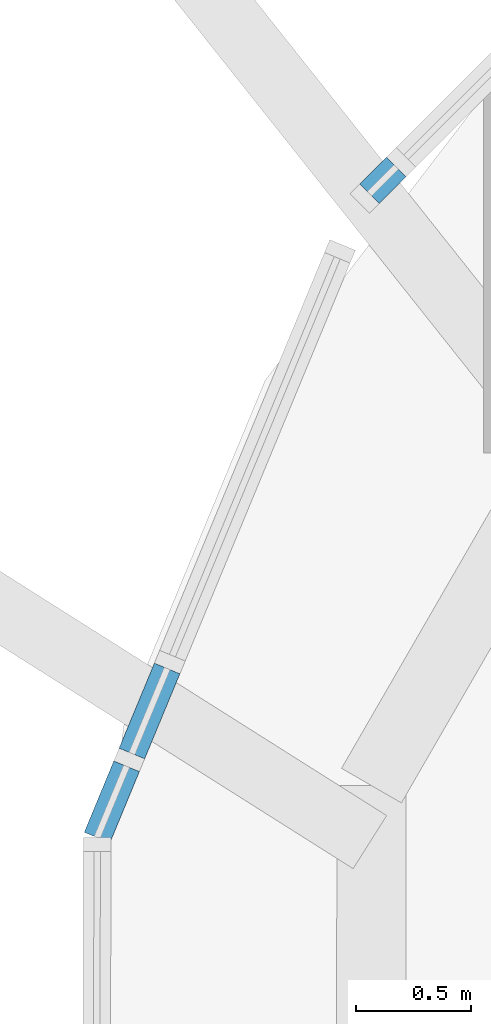
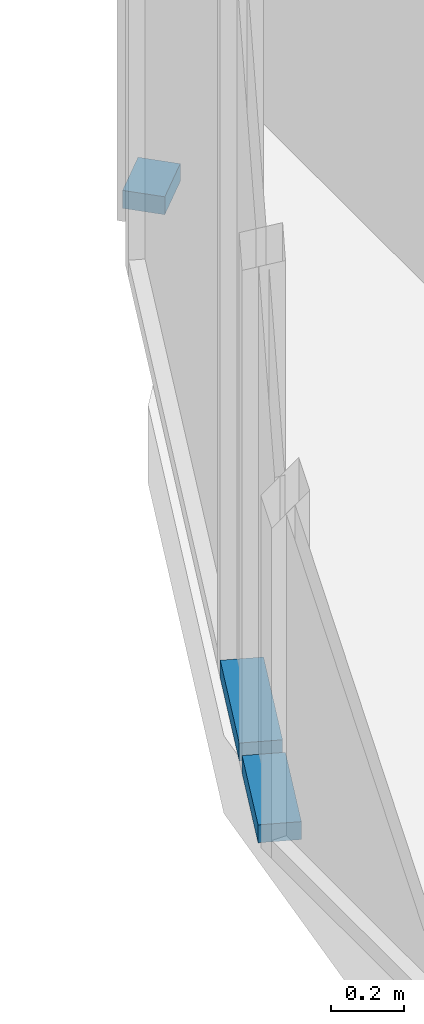
# One storey, part 17 of 36: 3 members, 3 elements without a shape of their own.
"""IFC4 building model written with IfcOpenShell, lengths in metres."""

import ifcopenshell
import ifcopenshell.guid

model = None  # the IFC model being written
_history = None  # IfcOwnerHistory: only IFC2X3 demands one
_inside = {}  # id of a spatial element -> (the spatial element, [elements in it])
_under = {}  # id of a project, library or spatial element -> (it, [spatial elements below it])
_declared = {}  # id of a project -> (the project, [libraries it declares])
_typed = {}  # id of a type object -> (the type object, [elements of that type])
_made_of = {}  # id of a material, layer set ... -> (it, [elements and type objects made of it])


def new_model(schema):
    """Start an empty IFC model of exactly this schema.

    Asked for "IFC4X3", IfcOpenShell would pick the latest addendum, in which some entities
    have other attributes; the version numbers below select the first issue.
    IFC2X3 requires an IfcOwnerHistory on every rooted entity: one is made here for all.
    """
    global model, _history
    if schema == "IFC4X3":
        model = ifcopenshell.file(schema_version=(4, 3, 0, 0))
    else:
        model = ifcopenshell.file(schema=schema)
    _inside.clear()
    _under.clear()
    _declared.clear()
    _typed.clear()
    _made_of.clear()
    _history = None
    if model.schema == "IFC2X3":
        org = make("IfcOrganization", Name="unknown")
        user = make(
            "IfcPersonAndOrganization",
            ThePerson=make("IfcPerson", FamilyName="unknown"),
            TheOrganization=org,
        )
        app = make(
            "IfcApplication",
            ApplicationDeveloper=org,
            Version="unknown",
            ApplicationFullName="unknown",
            ApplicationIdentifier="unknown",
        )
        _history = make(
            "IfcOwnerHistory",
            OwningUser=user,
            OwningApplication=app,
            ChangeAction="ADDED",
            CreationDate=0,
        )
    return model


def make(cls, **values):
    """One entity of the class cls with the attributes given. An attribute that is None is left unset."""
    return model.create_entity(
        cls, **{name: value for name, value in values.items() if value is not None}
    )


def rooted(cls, **values):
    """An entity with a GlobalId (a new one), such as an element, a storey or a relation."""
    return make(cls, GlobalId=ifcopenshell.guid.new(), OwnerHistory=_history, **values)


def si_unit(unit_type, name, prefix=None):
    """IfcSIUnit, for example si_unit("LENGTHUNIT", "METRE", prefix="MILLI")."""
    return make("IfcSIUnit", UnitType=unit_type, Prefix=prefix, Name=name)


def assignment(units):
    """IfcUnitAssignment: the units of a project."""
    return None if units is None else make("IfcUnitAssignment", Units=units)


def point(xyz):
    """IfcCartesianPoint."""
    return None if xyz is None else make("IfcCartesianPoint", Coordinates=xyz)


def direction(xyz):
    """IfcDirection."""
    return None if xyz is None else make("IfcDirection", DirectionRatios=xyz)


def frame(location, z_axis=None, x_axis=None):
    """IfcAxis2Placement3D, a coordinate frame: its origin and axes. An axis left out is left unset."""
    return make(
        "IfcAxis2Placement3D",
        Location=point(location),
        Axis=direction(z_axis),
        RefDirection=direction(x_axis),
    )


def frame_2d(location, x_axis=None):
    """IfcAxis2Placement2D, a coordinate frame in the plane: its origin and x axis."""
    return make(
        "IfcAxis2Placement2D", Location=point(location), RefDirection=direction(x_axis)
    )


def origin():
    """The frame at (0, 0, 0) with its axes left unset."""
    return frame((0.0, 0.0, 0.0))


def origin_2d():
    """The frame at (0, 0) in the plane with its x axis left unset."""
    return frame_2d((0.0, 0.0))


def place(relative_to, where):
    """IfcLocalPlacement: puts the frame where relative to a parent placement (None: the world)."""
    return make(
        "IfcLocalPlacement", PlacementRelTo=relative_to, RelativePlacement=where
    )


def context(
    kind, dimensions, precision=None, world=None, true_north=None, identifier=None
):
    """IfcGeometricRepresentationContext, for example the 3D "Model" context."""
    return make(
        "IfcGeometricRepresentationContext",
        ContextIdentifier=identifier,
        ContextType=kind,
        CoordinateSpaceDimension=dimensions,
        Precision=precision,
        WorldCoordinateSystem=world,
        TrueNorth=true_north,
    )


def subcontext(parent, identifier, kind, view, scale=None):
    """IfcGeometricRepresentationSubContext, for example "Body" below "Model"."""
    return make(
        "IfcGeometricRepresentationSubContext",
        ContextIdentifier=identifier,
        ContextType=kind,
        ParentContext=parent,
        TargetScale=scale,
        TargetView=view,
    )


def project(units=None, contexts=None):
    """IfcProject with its units and contexts."""
    return rooted(
        "IfcProject",
        Name="project",
        RepresentationContexts=contexts,
        UnitsInContext=assignment(units),
    )


def spatial(cls, under=None, at=None, **own):
    """A site, building, storey or space (cls), placed at a placement, below another one or the project."""
    s = rooted(cls, ObjectPlacement=at, **own)
    if under is not None:
        _under.setdefault(under.id(), (under, []))[1].append(s)
    return s


def profile(cls, at=None, kind="AREA", **sizes):
    """A parametric profile (cls). Its sizes go by their IFC names, for example OverallWidth=200.0."""
    return make(cls, ProfileType=kind, Position=at, **sizes)


def rectangle(**sizes):
    """IfcRectangleProfileDef."""
    return profile("IfcRectangleProfileDef", **sizes)


def extrude(swept, where, along, depth):
    """IfcExtrudedAreaSolid: the profile swept, set in the frame where, extruded along a direction by depth."""
    return make(
        "IfcExtrudedAreaSolid",
        SweptArea=swept,
        Position=where,
        ExtrudedDirection=direction(along),
        Depth=depth,
    )


def shape(context_of_items, identifier, shape_type, items):
    """IfcShapeRepresentation: the items that make up one representation, for example the "Body"."""
    return make(
        "IfcShapeRepresentation",
        ContextOfItems=context_of_items,
        RepresentationIdentifier=identifier,
        RepresentationType=shape_type,
        Items=items,
    )


def material(Name=None, Category=None):
    """IfcMaterial."""
    return make("IfcMaterial", Name=Name, Category=Category)


def layer(
    of_material, thickness, ventilated=None, Name=None, Category=None, Priority=None
):
    """IfcMaterialLayer: one layer of a wall or slab, of a material (None: an air gap)."""
    return make(
        "IfcMaterialLayer",
        Material=of_material,
        LayerThickness=thickness,
        IsVentilated=ventilated,
        Name=Name,
        Category=Category,
        Priority=Priority,
    )


def layer_set(layers, Name=None):
    """IfcMaterialLayerSet."""
    return make("IfcMaterialLayerSet", MaterialLayers=layers, LayerSetName=Name)


def material_profile(
    of_material, cross_section, Name=None, Category=None, Priority=None
):
    """IfcMaterialProfile: a cross section and its material."""
    return make(
        "IfcMaterialProfile",
        Name=Name,
        Material=of_material,
        Profile=cross_section,
        Priority=Priority,
        Category=Category,
    )


def profile_set(profiles, Name=None, composite=None):
    """IfcMaterialProfileSet."""
    return make(
        "IfcMaterialProfileSet",
        Name=Name,
        MaterialProfiles=profiles,
        CompositeProfile=composite,
    )


def made_of(thing, what):
    """Note that an element or type object is made of a material, layer set ...; save() writes the relation."""
    if what is not None:
        _made_of.setdefault(what.id(), (what, []))[1].append(thing)
    return thing


def type_object(cls, material=None, **own):
    """A type object (cls), such as IfcWallType, which elements share."""
    return made_of(rooted(cls, **own), material)


def element(
    cls,
    number,
    at=None,
    inside=None,
    cuts=None,
    type_object=None,
    material=None,
    context=None,
    identifier="Body",
    shape_type=None,
    held_by="IfcProductDefinitionShape",
    body=None,
    shapes=None,
    **own,
):
    """One element of the class cls, such as IfcWall. Its Tag is "e" and its number.

    at: its placement. inside: the storey or other place that contains it. cuts: it is an
    opening in that element (IfcRelVoidsElement). A single representation is given by context,
    identifier, shape_type and body (its items); several are given by shapes. held_by: the class
    of the entity that holds the representations. save() writes the other relations.
    """
    e = rooted(cls, Tag="e%d" % number, ObjectPlacement=at, **own)
    if body is not None:
        shapes = [shape(context, identifier, shape_type, body)]
    if shapes is not None:
        e.Representation = make(held_by, Representations=shapes)
    if inside is not None:
        _inside.setdefault(inside.id(), (inside, []))[1].append(e)
    if cuts is not None:
        rooted(
            "IfcRelVoidsElement", RelatingBuildingElement=cuts, RelatedOpeningElement=e
        )
    if type_object is not None:
        _typed.setdefault(type_object.id(), (type_object, []))[1].append(e)
    return made_of(e, material)


def aggregate(whole, parts):
    """IfcRelAggregates: a whole, such as a stair, and the parts it consists of."""
    return rooted("IfcRelAggregates", RelatingObject=whole, RelatedObjects=parts)


def save(model, path):
    """Write the relations noted so far, then the file.

    IfcRelAggregates (storeys below a building ...), IfcRelContainedInSpatialStructure (elements
    in a storey), IfcRelDefinesByType, IfcRelAssociatesMaterial and IfcRelDeclares: one each for
    every whole, place, type object, material and project.
    """
    for whole, parts in _under.values():
        aggregate(whole, parts)
    for where, things in _inside.values():
        rooted(
            "IfcRelContainedInSpatialStructure",
            RelatedElements=things,
            RelatingStructure=where,
        )
    for kind, things in _typed.values():
        rooted("IfcRelDefinesByType", RelatedObjects=things, RelatingType=kind)
    for what, things in _made_of.values():
        rooted("IfcRelAssociatesMaterial", RelatedObjects=things, RelatingMaterial=what)
    for by, libraries in _declared.values():
        rooted("IfcRelDeclares", RelatingContext=by, RelatedDefinitions=libraries)
    model.write(path)


model = new_model("IFC4")

# Units and contexts
model_context = context("Model", 3, precision=1e-05, world=origin(), true_north=direction((0.0, 1.0)))
body_context = subcontext(model_context, "Body", "Model", "MODEL_VIEW")
ifc_project = project(units=[si_unit("LENGTHUNIT", "METRE"), si_unit("AREAUNIT", "SQUARE_METRE"), si_unit("VOLUMEUNIT", "CUBIC_METRE"), si_unit("PLANEANGLEUNIT", "RADIAN"), si_unit("MASSUNIT", "GRAM", prefix="KILO")], contexts=[model_context])

# Site, building, storey
site_placement = place(None, origin())
site = spatial("IfcSite", under=ifc_project, at=site_placement, CompositionType="ELEMENT")
building_placement = place(site_placement, origin())
building = spatial("IfcBuilding", under=site, at=building_placement, Name="Marenta Gate Hotel Tower", CompositionType="ELEMENT")
storey_placement = place(building_placement, frame((0.0, 0.0, 158.89990234375)))
storey = spatial("IfcBuildingStorey", under=building, at=storey_placement, Name="L37", CompositionType="ELEMENT", Elevation=158.89990234375)

# Curtain wall, member
ifc_material_1 = material(Name="Tinted insulated glass in bronze anodised frame", Category="glass")
ifc_layer = layer(ifc_material_1, 0.1201171875)
ifc_layer_set = layer_set([ifc_layer], Name="Tinted insulated glass in bronze anodised frame")
curtain_wall_type = type_object("IfcCurtainWallType", Name="Tower unitised curtain wall CW1", PredefinedType="NOTDEFINED", material=ifc_layer_set)
curtain_wall_1_placement = place(storey_placement, origin())
curtain_wall_1 = element("IfcCurtainWall", 1, at=curtain_wall_1_placement, inside=storey, type_object=curtain_wall_type, Name="CW1 run G02", PredefinedType="NOTDEFINED")
ifc_material_2 = material(Name="Bronze anodised aluminium", Category="aluminium")
ifc_material_profile = material_profile(ifc_material_2, rectangle(XDim=0.1201171875, YDim=0.06005859375, at=origin_2d()), Name="Transom CW1 60x120 bronze anodised aluminium")
ifc_profile_set = profile_set([ifc_material_profile], Name="Bronze anodised aluminium")
member_type = type_object("IfcMemberType", Name="Transom CW1 60x120 bronze anodised aluminium", PredefinedType="USERDEFINED", material=ifc_profile_set)
member_1_placement = place(storey_placement, frame((-26.013671875, 25.977294921875, 0.030029296875), z_axis=(-0.706364412476, -0.707848371325, 0.0), x_axis=(0.707848371325, -0.706364412476, 0.0)))
member_1 = element("IfcMember", 2, at=member_1_placement, type_object=member_type, Name="CW1 transom 1.1", ObjectType="TRANSOM", PredefinedType="USERDEFINED", context=body_context, shape_type="SweptSolid", body=[
    extrude(rectangle(XDim=0.1201171875, YDim=0.06005859375, at=origin_2d()), origin(), (0.0, 0.0, 1.0), 0.16455078125),
])
aggregate(curtain_wall_1, [member_1])

curtain_wall_2_placement = place(storey_placement, origin())
curtain_wall_2 = element("IfcCurtainWall", 3, at=curtain_wall_2_placement, inside=storey, type_object=curtain_wall_type, Name="CW1 run G04", PredefinedType="NOTDEFINED")
member_2_placement = place(storey_placement, frame((-27.00830078125, 23.80029296875, 0.030029296875), z_axis=(-0.382837108959, -0.923815862607, 0.0), x_axis=(0.923815862607, -0.382837108959, 0.0)))
member_2 = element("IfcMember", 4, at=member_2_placement, type_object=member_type, Name="CW1 transom 1.1", ObjectType="TRANSOM", PredefinedType="USERDEFINED", context=body_context, shape_type="SweptSolid", body=[
    extrude(rectangle(XDim=0.1201171875, YDim=0.06005859375, at=origin_2d()), origin(), (0.0, 0.0, 1.0), 0.39990234375),
])
aggregate(curtain_wall_2, [member_2])

curtain_wall_3_placement = place(storey_placement, origin())
curtain_wall_3 = element("IfcCurtainWall", 5, at=curtain_wall_3_placement, inside=storey, type_object=curtain_wall_type, Name="CW1 run G05", PredefinedType="NOTDEFINED")
member_3_placement = place(storey_placement, frame((-27.184326171875, 23.37548828125, 0.030029296875), z_axis=(-0.382179999859, -0.924087900423, 0.0), x_axis=(0.924087900423, -0.382179999859, 0.0)))
member_3 = element("IfcMember", 6, at=member_3_placement, type_object=member_type, Name="CW1 transom 1.1", ObjectType="TRANSOM", PredefinedType="USERDEFINED", context=body_context, shape_type="SweptSolid", body=[
    extrude(rectangle(XDim=0.1201171875, YDim=0.06005859375, at=origin_2d()), origin(), (0.0, 0.0, 1.0), 0.334716796875),
])
aggregate(curtain_wall_3, [member_3])

save(model, "model.ifc")
